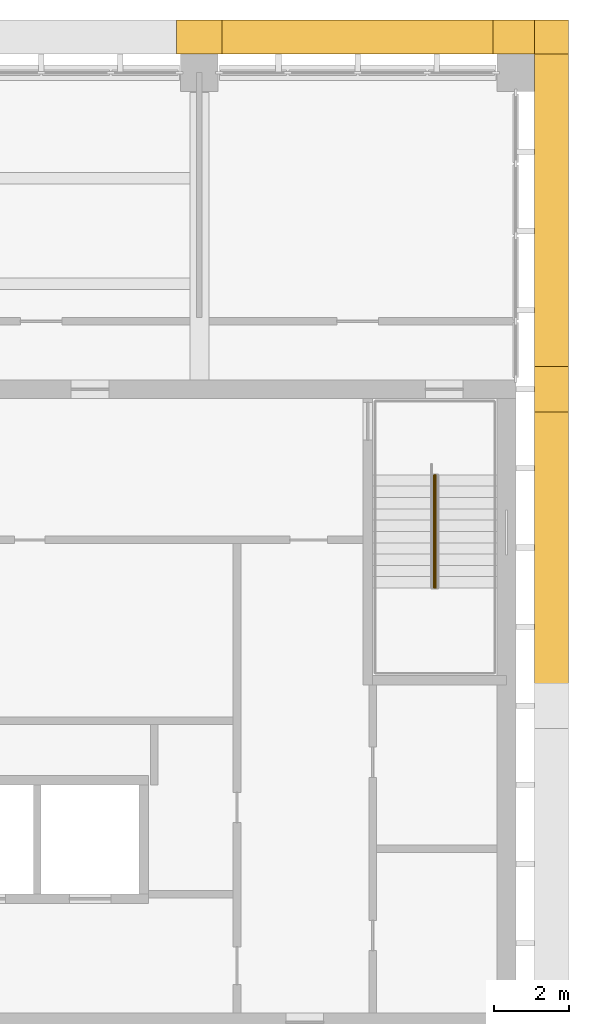
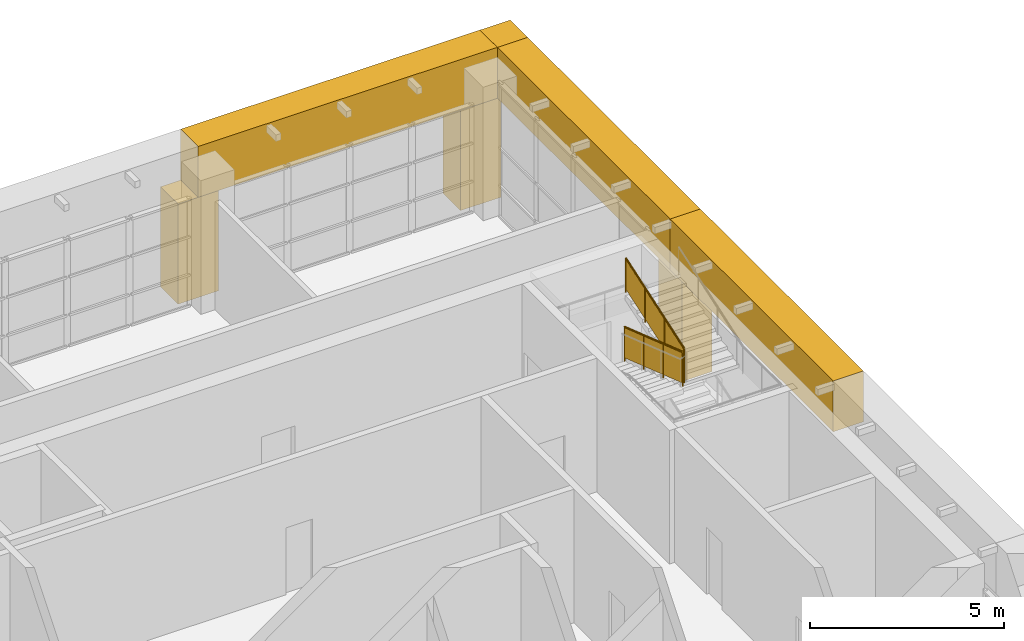
# One storey, part 53 of 56: 7 coverings, 2 railings.
"""IFC4 building model written with IfcOpenShell, lengths in metres."""

from ifc_helpers import new_model, si_unit, direction, frame, origin, origin_2d, place, context, subcontext, project, spatial, polyline, rectangle, circle, outline, extrude, material, type_object, element, save


model = new_model("IFC4")

# Units and contexts
model_context = context("Model", 3, precision=1e-05, world=origin(), true_north=direction((0.0, 1.0)))
body_context = subcontext(model_context, "Body", "Model", "MODEL_VIEW")
ifc_project = project(units=[si_unit("LENGTHUNIT", "METRE"), si_unit("AREAUNIT", "SQUARE_METRE"), si_unit("VOLUMEUNIT", "CUBIC_METRE"), si_unit("PLANEANGLEUNIT", "RADIAN"), si_unit("MASSUNIT", "GRAM", prefix="KILO")], contexts=[model_context])

# Site, building, storey
site_placement = place(None, origin())
site = spatial("IfcSite", under=ifc_project, at=site_placement, CompositionType="ELEMENT")
building_placement = place(site_placement, origin())
building = spatial("IfcBuilding", under=site, at=building_placement, Name="Rulbaag Community and Learning Centre", CompositionType="ELEMENT")
storey_placement = place(building_placement, frame((0.0, 0.0, 9.89990234375)))
storey = spatial("IfcBuildingStorey", under=building, at=storey_placement, Name="L02", CompositionType="ELEMENT", Elevation=9.89990234375)

# Coverings
ifc_material_1 = material(Name="Concrete M40", Category="concrete")
covering_type_1 = type_object("IfcCoveringType", Name="DB-1", PredefinedType="CLADDING", material=ifc_material_1)
covering_1_placement = place(storey_placement, frame((164.050048828125, 118.550048828125, 2.900146484375), z_axis=(0.0, 0.0, 1.0), x_axis=(1.0, 0.0, 0.0)))
element("IfcCovering", 1, at=covering_1_placement, inside=storey, type_object=covering_type_1, Name="Datum band", PredefinedType="CLADDING", context=body_context, shape_type="SweptSolid", body=[
    extrude(rectangle(XDim=8.89990234375, YDim=0.89990234375, at=origin_2d()), origin(), (0.0, 0.0, 1.0), 1.60009765625),
])
covering_2_placement = place(storey_placement, frame((168.949951171875, 105.0, 2.900146484375), z_axis=(0.0, 0.0, 1.0), x_axis=(1.0, 0.0, 0.0)))
element("IfcCovering", 2, at=covering_2_placement, inside=storey, type_object=covering_type_1, Name="Datum band", PredefinedType="CLADDING", context=body_context, shape_type="SweptSolid", body=[
    extrude(rectangle(XDim=0.89990234375, YDim=8.39990234375, at=origin_2d()), origin(), (0.0, 0.0, 1.0), 1.60009765625),
])
covering_3_placement = place(storey_placement, frame((168.949951171875, 113.64990234375, 2.900146484375), z_axis=(0.0, 0.0, 1.0), x_axis=(1.0, 0.0, 0.0)))
element("IfcCovering", 3, at=covering_3_placement, inside=storey, type_object=covering_type_1, Name="Datum band", PredefinedType="CLADDING", context=body_context, shape_type="SweptSolid", body=[
    extrude(rectangle(XDim=0.89990234375, YDim=8.89990234375, at=origin_2d()), origin(), (0.0, 0.0, 1.0), 1.60009765625),
])
covering_4_placement = place(storey_placement, frame((168.949951171875, 118.550048828125, 2.900146484375), z_axis=(0.0, 0.0, 1.0), x_axis=(1.0, 0.0, 0.0)))
element("IfcCovering", 4, at=covering_4_placement, inside=storey, type_object=covering_type_1, Name="Datum band corner", PredefinedType="CLADDING", context=body_context, shape_type="SweptSolid", body=[
    extrude(rectangle(XDim=0.89990234375, YDim=0.89990234375, at=origin_2d()), origin(), (0.0, 0.0, 1.0), 1.60009765625),
])

# Railings
ifc_material_2 = material(Name="Galvanised mild steel", Category="steel")
railing_type = type_object("IfcRailingType", Name="GR-1100 GUARD 1100", PredefinedType="GUARDRAIL", material=ifc_material_2)
railing_1_placement = place(storey_placement, frame((165.830078125, 106.925048828125, 2.352294921875)))
element("IfcRailing", 5, at=railing_1_placement, inside=storey, type_object=railing_type, Name="Guard ST2 L02 G3", PredefinedType="GUARDRAIL", context=body_context, shape_type="SweptSolid", body=[
    extrude(circle(Radius=0.02490234375, at=origin_2d()), frame((0.0, 0.0, 1.0751953125), z_axis=(0.0, -0.946512326817, 0.322667654381), x_axis=(1.0, 0.0, 0.0)), (0.0, 0.0, 1.0), 3.16943359375),
    extrude(circle(Radius=0.02001953125, at=origin_2d()), origin(), (0.0, 0.0, 1.0), 1.050048828125),
    extrude(circle(Radius=0.02001953125, at=origin_2d()), frame((0.0, -1.0, 0.3408203125)), (0.0, 0.0, 1.0), 1.050048828125),
    extrude(circle(Radius=0.02001953125, at=origin_2d()), frame((0.0, -2.0, 0.681884765625)), (0.0, 0.0, 1.0), 1.050048828125),
    extrude(circle(Radius=0.02001953125, at=origin_2d()), frame((0.0, -3.0, 1.022705078125)), (0.0, 0.0, 1.0), 1.050048828125),
    extrude(outline(polyline([(0.0, 0.0), (3.0, 1.022705078125), (3.0, 1.97265625), (0.0, 0.949951171875), (0.0, 0.0)])), frame((0.0048828125, 0.0, 0.10009765625), z_axis=(-1.0, 0.0, 0.0), x_axis=(0.0, -1.0, 0.0)), (0.0, 0.0, 1.0), 0.010009765625),
])
railing_2_placement = place(storey_placement, frame((165.8701171875, 103.925048828125, 3.477294921875)))
element("IfcRailing", 6, at=railing_2_placement, inside=storey, type_object=railing_type, Name="Guard ST2 L02 G4", PredefinedType="GUARDRAIL", context=body_context, shape_type="SweptSolid", body=[
    extrude(circle(Radius=0.02490234375, at=origin_2d()), frame((0.0, 0.0, 1.0751953125), z_axis=(0.0, 0.946512326817, 0.322667654381), x_axis=(-1.0, 0.0, 0.0)), (0.0, 0.0, 1.0), 3.16943359375),
    extrude(circle(Radius=0.02001953125, at=origin_2d()), origin(), (0.0, 0.0, 1.0), 1.050048828125),
    extrude(circle(Radius=0.02001953125, at=origin_2d()), frame((0.0, 1.0, 0.3408203125)), (0.0, 0.0, 1.0), 1.050048828125),
    extrude(circle(Radius=0.02001953125, at=origin_2d()), frame((0.0, 2.0, 0.681884765625)), (0.0, 0.0, 1.0), 1.050048828125),
    extrude(circle(Radius=0.02001953125, at=origin_2d()), frame((0.0, 3.0, 1.022705078125)), (0.0, 0.0, 1.0), 1.050048828125),
    extrude(outline(polyline([(0.0, 0.0), (3.0, 1.022705078125), (3.0, 1.97265625), (0.0, 0.949951171875), (0.0, 0.0)])), frame((-0.0048828125, 0.0, 0.10009765625), z_axis=(1.0, 0.0, 0.0), x_axis=(0.0, 1.0, 0.0)), (0.0, 0.0, 1.0), 0.010009765625),
])

# Coverings
covering_type_2 = type_object("IfcCoveringType", Name="PR-1", PredefinedType="CLADDING", material=ifc_material_1)
for number, where, z_axis, x_axis, name in (
    (7, (159.60009765625, 118.550048828125, -0.249755859375), (0.0, 0.0, 1.0), (1.0, 0.0, 0.0), "Base pier"),
    (8, (168.0, 118.550048828125, -0.249755859375), (0.0, 0.0, 1.0), (1.0, 0.0, 0.0), "Base pier"),
):
    element("IfcCovering", number, at=place(storey_placement, frame(where, z_axis=z_axis, x_axis=x_axis)), inside=storey, type_object=covering_type_2, Name=name, PredefinedType="CLADDING", context=body_context, shape_type="SweptSolid", body=[
        extrude(rectangle(XDim=1.199951171875, YDim=0.89990234375, at=origin_2d()), origin(), (0.0, 0.0, 1.0), 3.14990234375),
    ])
covering_5_placement = place(storey_placement, frame((168.949951171875, 109.199951171875, -0.249755859375), z_axis=(0.0, 0.0, 1.0), x_axis=(1.0, 0.0, 0.0)))
element("IfcCovering", 9, at=covering_5_placement, inside=storey, type_object=covering_type_2, Name="Base pier", PredefinedType="CLADDING", context=body_context, shape_type="SweptSolid", body=[
    extrude(rectangle(XDim=0.89990234375, YDim=1.199951171875, at=origin_2d()), origin(), (0.0, 0.0, 1.0), 3.14990234375),
])

save(model, "model.ifc")
